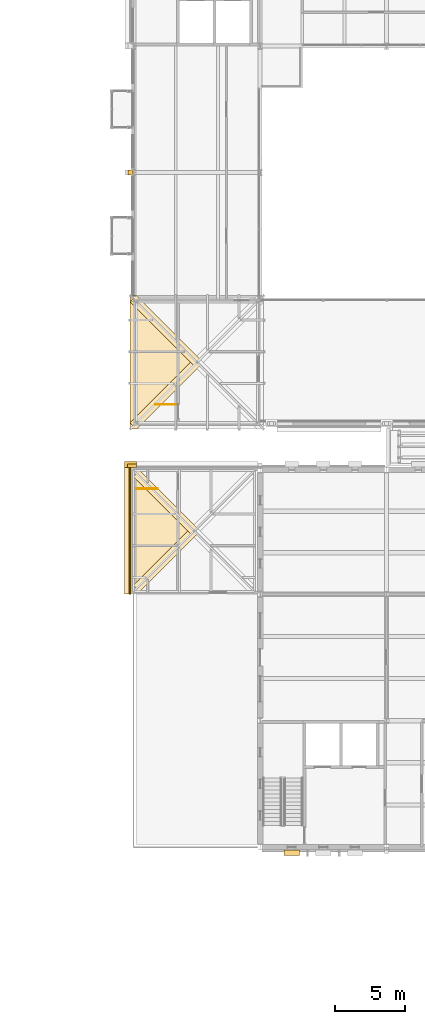
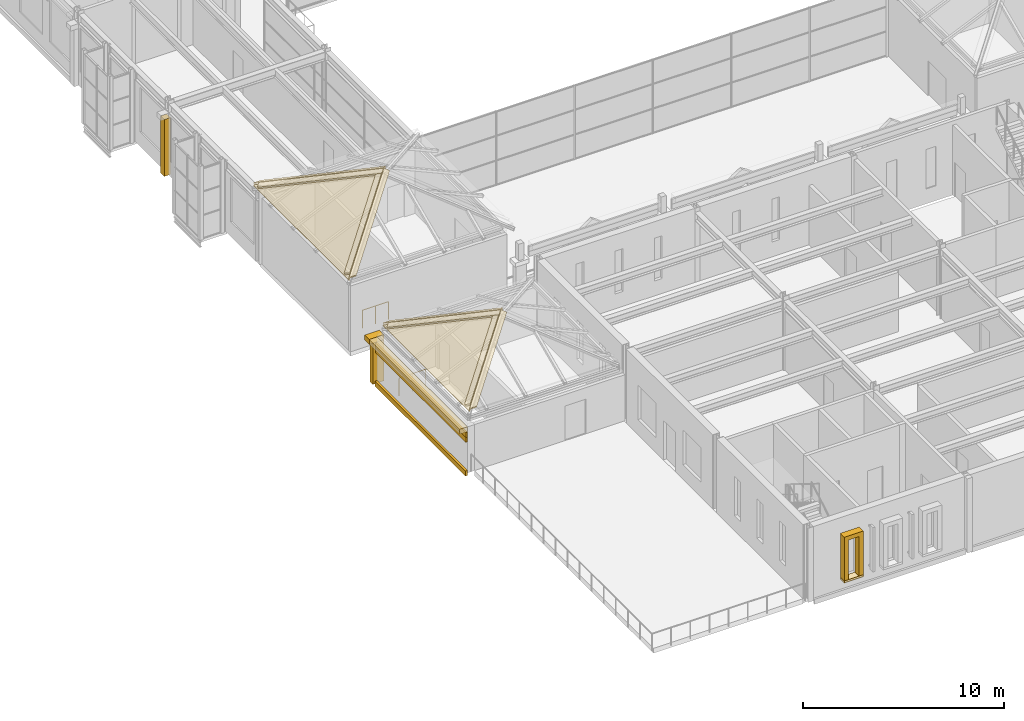
# One storey, part 129 of 149: 19 coverings, 2 railings.
"""IFC4 building model written with IfcOpenShell, lengths in metres."""

from ifc_helpers import new_model, si_unit, direction, frame, origin, origin_2d, place, context, subcontext, project, spatial, polyline, rectangle, circle, outline, extrude, material, layer, layer_set, type_object, element, save


model = new_model("IFC4")

# Units and contexts
model_context = context("Model", 3, precision=1e-05, world=origin(), true_north=direction((0.0, 1.0)))
body_context = subcontext(model_context, "Body", "Model", "MODEL_VIEW")
ifc_project = project(units=[si_unit("LENGTHUNIT", "METRE"), si_unit("AREAUNIT", "SQUARE_METRE"), si_unit("VOLUMEUNIT", "CUBIC_METRE"), si_unit("PLANEANGLEUNIT", "RADIAN"), si_unit("MASSUNIT", "GRAM", prefix="KILO")], contexts=[model_context])

# Site, building, storey
site_placement = place(None, origin())
site = spatial("IfcSite", under=ifc_project, at=site_placement, CompositionType="ELEMENT")
building_placement = place(site_placement, origin())
building = spatial("IfcBuilding", under=site, at=building_placement, Name="Kallimachos Central Library", CompositionType="ELEMENT")
storey_placement = place(building_placement, frame((0.0, 0.0, 9.89990234375)))
storey = spatial("IfcBuildingStorey", under=building, at=storey_placement, Name="L02", CompositionType="ELEMENT", Elevation=9.89990234375)

# Coverings
ifc_material_1 = material(Name="Glazed ceramic hip tile")
ifc_layer_1 = layer(ifc_material_1, 0.1201171875)
ifc_layer_set_1 = layer_set([ifc_layer_1], Name="Ceramic hip tile 300")
covering_type_1 = type_object("IfcCoveringType", Name="Ceramic hip tile 300", PredefinedType="MOLDING", material=ifc_layer_set_1)
covering_1_placement = place(storey_placement, frame((69.814208984375, 40.48583984375, 5.61328125), z_axis=(2.5811857e-05, -0.406756506002, 0.913536613475), x_axis=(0.674456321795, -0.674470475171, -0.300330231767)))
element("IfcCovering", 1, at=covering_1_placement, inside=storey, type_object=covering_type_1, Name="West stair hipped roof hip tile", PredefinedType="MOLDING", context=body_context, shape_type="SweptSolid", body=[
    extrude(outline(polyline([(0.0, 0.0), (0.31456181305111724, -1.734723475976807e-17), (0.8591699670349766, -6.015441280346188), (0.5731517465863805, -6.328540088909749), (0.0, 0.0)])), origin(), (0.0, 0.0, -1.0), 0.1201171875),
])
covering_2_placement = place(storey_placement, frame((65.697998046875, 36.42626953125, 3.793212890625), z_axis=(-0.40674004201, 4.081446e-06, 0.913543944323), x_axis=(-0.674457907333, 0.674485009634, -0.300294027606)))
element("IfcCovering", 2, at=covering_2_placement, inside=storey, type_object=covering_type_1, Name="West stair hipped roof hip tile", PredefinedType="MOLDING", context=body_context, shape_type="SweptSolid", body=[
    extrude(outline(polyline([(0.0, 0.0), (0.29355440664685306, 1.3877787807814457e-17), (0.3126560328962398, -0.02090856223447786), (-0.2318830545296433, -6.036190753028906), (-0.5464448669142423, -6.0362029756904665), (0.0, 0.0)])), origin(), (0.0, 0.0, -1.0), 0.1201171875),
])
covering_3_placement = place(storey_placement, frame((65.5283203125, 44.800048828125, 3.705078125), z_axis=(2.532049e-05, 0.406756916073, 0.913536430902), x_axis=(0.999999999679, -1.0299284e-05, -2.313119e-05)))
element("IfcCovering", 3, at=covering_3_placement, inside=storey, type_object=covering_type_1, Name="West stair hipped roof hip tile", PredefinedType="MOLDING", context=body_context, shape_type="SweptSolid", body=[
    extrude(outline(polyline([(0.0, 0.0), (0.42407226548905785, -7.184063620023045e-22), (4.498046876548557, -4.45924463413005), (4.477783204432633, -4.48143055446421), (4.285888673078385, -4.6914902604189335), (0.0, 0.0)])), origin(), (0.0, 0.0, -1.0), 0.1201171875),
])
covering_4_placement = place(storey_placement, frame((69.785888671875, 40.48583984375, 5.61328125), z_axis=(-0.40674004201, -4.081446e-06, 0.913543944323), x_axis=(-0.674481848932, -0.674456322073, -0.300304687072)))
element("IfcCovering", 4, at=covering_4_placement, inside=storey, type_object=covering_type_1, Name="West stair hipped roof hip tile", PredefinedType="MOLDING", context=body_context, shape_type="SweptSolid", body=[
    extrude(outline(polyline([(0.0, 0.0), (0.3145618126220616, -3.469446951953614e-18), (0.8593346303551627, -6.015261027560015), (0.840233816546465, -6.0361703319944), (0.5466794101212162, -6.036181738389003), (0.0, 0.0)])), origin(), (0.0, 0.0, -1.0), 0.1201171875),
])
covering_5_placement = place(storey_placement, frame((70.01416015625, 52.48583984375, 6.86328125), z_axis=(3.2369812e-05, -0.406739931992, 0.913543992742), x_axis=(0.674578590629, -0.674372069128, -0.300276601561)))
element("IfcCovering", 5, at=covering_5_placement, inside=storey, type_object=covering_type_1, Name="Head-house roof V4-SW hip tile", PredefinedType="MOLDING", context=body_context, shape_type="SweptSolid", body=[
    extrude(outline(polyline([(0.0, 0.0), (0.003257241783217022, 5.421010862427522e-20), (0.3145618086262042, -5.20967216105124e-05), (0.9181947360655407, -6.679953672843335), (0.6321246647953545, -6.993005107287192), (0.0, 0.0)])), origin(), (0.0, 0.0, -1.0), 0.1201171875),
])
covering_6_placement = place(storey_placement, frame((65.447998046875, 47.976318359375, 4.843017578125), z_axis=(-0.406728259025, 1.7313868e-05, 0.913549190252), x_axis=(-0.674458151062, 0.674485008735, -0.30029348221)))
element("IfcCovering", 6, at=covering_6_placement, inside=storey, type_object=covering_type_1, Name="Head-house roof V4-SW hip tile", PredefinedType="MOLDING", context=body_context, shape_type="SweptSolid", body=[
    extrude(outline(polyline([(0.0, 0.0), (0.29355440665848576, 7.28583859910259e-17), (0.312491363690852, -0.02072831602597165), (-0.29198832476201353, -6.700553320009625), (-0.6065501371347777, -6.700565541919457), (0.0, 0.0)])), origin(), (0.0, 0.0, -1.0), 0.1201171875),
])
covering_7_placement = place(storey_placement, frame((65.2783203125, 57.25, 4.7548828125), z_axis=(2.8418847e-05, 0.406743229323, 0.913542524786), x_axis=(0.999999999596, -1.1559174e-05, -2.5961826e-05)))
element("IfcCovering", 7, at=covering_7_placement, inside=storey, type_object=covering_type_1, Name="Head-house roof V4-SW hip tile", PredefinedType="MOLDING", context=body_context, shape_type="SweptSolid", body=[
    extrude(outline(polyline([(0.0, 0.0), (0.4240722654537531, 0.0), (4.947998049962683, -4.9517222530845615), (4.73657226610758, -5.183199478027474), (4.735839846360732, -5.183967879102902), (0.0, 0.0)])), origin(), (0.0, 0.0, -1.0), 0.1201171875),
])
covering_8_placement = place(storey_placement, frame((69.98583984375, 52.48583984375, 6.86328125), z_axis=(-0.406728259025, -1.7313868e-05, 0.913549190252), x_axis=(-0.67448209148, -0.674456322939, -0.300304140364)))
element("IfcCovering", 8, at=covering_8_placement, inside=storey, type_object=covering_type_1, Name="Head-house roof V4-SW hip tile", PredefinedType="MOLDING", context=body_context, shape_type="SweptSolid", body=[
    extrude(outline(polyline([(0.0, 0.0), (0.3145618126101978, 1.3877787807814457e-17), (0.9193010369383585, -6.679801512631663), (0.9003648852933455, -6.700530564414012), (0.6068104788564364, -6.70054197010709), (0.0, 0.0)])), origin(), (0.0, 0.0, -1.0), 0.1201171875),
])
ifc_material_2 = material(Name="Glazed ceramic frieze, green")
ifc_layer_2 = layer(ifc_material_2, 0.10009765625)
ifc_layer_set_2 = layer_set([ifc_layer_2], Name="Glazed ceramic frieze, green")
covering_type_2 = type_object("IfcCoveringType", Name="Glazed ceramic frieze, green", PredefinedType="CLADDING", material=ifc_layer_set_2)
covering_9_placement = place(storey_placement, frame((65.25, 40.5, 2.18017578125), z_axis=(0.0, 0.0, 1.0), x_axis=(1.0, 0.0, 0.0)))
element("IfcCovering", 9, at=covering_9_placement, inside=storey, type_object=covering_type_2, Name="Glazed ceramic frieze, green -L02-030", PredefinedType="CLADDING", context=body_context, shape_type="SweptSolid", body=[
    extrude(rectangle(XDim=0.10009765625, YDim=9.0, at=origin_2d()), origin(), (0.0, 0.0, 1.0), 0.300048828125),
])
ifc_material_3 = material(Name="Glazed ceramic frieze, ochre")
ifc_layer_3 = layer(ifc_material_3, 0.10009765625)
ifc_layer_set_3 = layer_set([ifc_layer_3], Name="Glazed ceramic frieze, ochre")
covering_type_3 = type_object("IfcCoveringType", Name="Glazed ceramic frieze, ochre", PredefinedType="CLADDING", material=ifc_layer_set_3)
covering_10_placement = place(storey_placement, frame((65.25, 40.5, 1.8798828125), z_axis=(0.0, 0.0, 1.0), x_axis=(1.0, 0.0, 0.0)))
element("IfcCovering", 10, at=covering_10_placement, inside=storey, type_object=covering_type_3, Name="Glazed ceramic frieze, ochre -L02-030", PredefinedType="CLADDING", context=body_context, shape_type="SweptSolid", body=[
    extrude(rectangle(XDim=0.10009765625, YDim=9.0, at=origin_2d()), origin(), (0.0, 0.0, 1.0), 0.300048828125),
])
ifc_material_4 = material(Name="Glazed ceramic tile on deck")
ifc_layer_4 = layer(ifc_material_4, 0.10009765625)
ifc_layer_set_4 = layer_set([ifc_layer_4], Name="Glazed ceramic tile roofing 100")
covering_type_4 = type_object("IfcCoveringType", Name="Glazed ceramic tile roofing 100", PredefinedType="ROOFING", material=ifc_layer_set_4)
covering_11_placement = place(storey_placement, frame((65.5, 36.199951171875, 3.57373046875), z_axis=(-0.406744744862, 0.0, 0.913541850452), x_axis=(0.674470004269, 0.674470004269, 0.300300560579)))
element("IfcCovering", 11, at=covering_11_placement, inside=storey, type_object=covering_type_4, Name="West stair hipped roof roofing W", PredefinedType="ROOFING", context=body_context, shape_type="SweptSolid", body=[
    extrude(outline(polyline([(0.0, 0.0), (6.375448575786912, 3.3306690738754696e-16), (5.800507902920994, 6.349471455577058), (0.0, 0.0)])), origin(), (0.0, 0.0, -1.0), 0.10009765625),
])
covering_12_placement = place(storey_placement, frame((65.25, 47.75, 4.623291015625), z_axis=(-0.406761357527, 0.0, 0.913534453659), x_axis=(0.674467027477, 0.674467027477, 0.300313931899)))
element("IfcCovering", 12, at=covering_12_placement, inside=storey, type_object=covering_type_4, Name="Head-house roof V4-SW roofing W", PredefinedType="ROOFING", context=body_context, shape_type="SweptSolid", body=[
    extrude(outline(polyline([(0.0, 0.0), (7.042597794244793, 0.0), (6.407436761031012, 7.013897215770163), (0.0, 0.0)])), origin(), (0.0, 0.0, -1.0), 0.10009765625),
])

# Railing
ifc_material_5 = material(Name="Wrought iron")
railing_type_1 = type_object("IfcRailingType", Name="Stair guard", PredefinedType="GUARDRAIL", material=ifc_material_5)
railing_1_placement = place(storey_placement, frame((68.550048828125, 49.5, 0.0)))
element("IfcRailing", 13, at=railing_1_placement, inside=storey, type_object=railing_type_1, Name="L02 ST11 top well guard 1", PredefinedType="GUARDRAIL", context=body_context, shape_type="SweptSolid", body=[
    extrude(circle(Radius=0.02392578125, at=origin_2d()), frame((0.0, 0.0, 1.076171875), z_axis=(-1.0, 0.0, 0.0), x_axis=(0.0, -1.0, 0.0)), (0.0, 0.0, 1.0), 1.5),
    extrude(circle(Radius=0.02099609375, at=origin_2d()), origin(), (0.0, 0.0, 1.0), 1.052001953125),
    extrude(circle(Radius=0.02099609375, at=origin_2d()), frame((-0.75, 0.0, 0.0)), (0.0, 0.0, 1.0), 1.052001953125),
    extrude(circle(Radius=0.02099609375, at=origin_2d()), frame((-1.5, 0.0, 0.0)), (0.0, 0.0, 1.0), 1.052001953125),
])

# Coverings
ifc_material_6 = material(Name="Pentelic marble attic moulding", Category="masonry")
ifc_layer_5 = layer(ifc_material_6, 0.1201171875)
ifc_layer_set_5 = layer_set([ifc_layer_5], Name="Stone attic moulding 300")
covering_type_5 = type_object("IfcCoveringType", Name="Stone attic moulding 300", PredefinedType="MOLDING", material=ifc_layer_set_5)
covering_13_placement = place(storey_placement, frame((65.239990234375, 40.5, -0.14990234375), z_axis=(0.0, 0.0, 1.0), x_axis=(1.0, 0.0, 0.0)))
element("IfcCovering", 14, at=covering_13_placement, inside=storey, type_object=covering_type_5, Name="Stone attic moulding 300 -L02-030", PredefinedType="MOLDING", context=body_context, shape_type="SweptSolid", body=[
    extrude(rectangle(XDim=0.1201171875, YDim=9.0, at=origin_2d()), origin(), (0.0, 0.0, 1.0), 0.300048828125),
])
ifc_material_7 = material(Name="Pentelic marble cornice", Category="masonry")
ifc_layer_6 = layer(ifc_material_7, 0.449951171875)
ifc_layer_set_6 = layer_set([ifc_layer_6], Name="Stone cornice 450")
covering_type_6 = type_object("IfcCoveringType", Name="Stone cornice 450", PredefinedType="MOLDING", material=ifc_layer_set_6)
covering_14_placement = place(storey_placement, frame((65.074951171875, 40.5, 2.5), z_axis=(0.0, 0.0, 1.0), x_axis=(1.0, 0.0, 0.0)))
element("IfcCovering", 15, at=covering_14_placement, inside=storey, type_object=covering_type_6, Name="Stone cornice 450 -L02-030", PredefinedType="MOLDING", context=body_context, shape_type="SweptSolid", body=[
    extrude(rectangle(XDim=0.449951171875, YDim=9.0, at=origin_2d()), origin(), (0.0, 0.0, 1.0), 0.300048828125),
])
covering_15_placement = place(storey_placement, frame((65.27490234375, 45.22509765625, 2.5), z_axis=(0.0, 0.0, 1.0), x_axis=(1.0, 0.0, 0.0)))
element("IfcCovering", 16, at=covering_15_placement, inside=storey, type_object=covering_type_6, Name="Stone cornice 450 corner", PredefinedType="MOLDING", context=body_context, shape_type="SweptSolid", body=[
    extrude(rectangle(XDim=0.85009765625, YDim=0.449951171875, at=origin_2d()), origin(), (0.0, 0.0, 1.0), 0.300048828125),
])
ifc_material_8 = material(Name="Pentelic marble pilaster", Category="masonry")
ifc_layer_7 = layer(ifc_material_8, 0.25)
ifc_layer_set_7 = layer_set([ifc_layer_7], Name="Stone pilaster 250")
covering_type_7 = type_object("IfcCoveringType", Name="Stone pilaster 250", PredefinedType="CLADDING", material=ifc_layer_set_7)
covering_16_placement = place(storey_placement, frame((65.2705078125, 66.0, 0.0), z_axis=(0.0, 0.0, 1.0), x_axis=(1.0, 0.0, 0.0)))
element("IfcCovering", 17, at=covering_16_placement, inside=storey, type_object=covering_type_7, Name="Stone pilaster 250 -L02-020", PredefinedType="CLADDING", context=body_context, shape_type="SweptSolid", body=[
    extrude(rectangle(XDim=0.35009765625, YDim=0.376953125, at=origin_2d()), origin(), (0.0, 0.0, 1.0), 3.449951171875),
])
covering_17_placement = place(storey_placement, frame((65.375, 45.125, 0.0), z_axis=(0.0, 0.0, 1.0), x_axis=(1.0, 0.0, 0.0)))
element("IfcCovering", 18, at=covering_17_placement, inside=storey, type_object=covering_type_7, Name="Stone pilaster 250 corner", PredefinedType="CLADDING", context=body_context, shape_type="SweptSolid", body=[
    extrude(rectangle(XDim=0.64990234375, YDim=0.25, at=origin_2d()), origin(), (0.0, 0.0, 1.0), 2.5),
])
ifc_material_9 = material(Name="Pentelic marble window sill", Category="masonry")
ifc_layer_8 = layer(ifc_material_9, 0.39990234375)
ifc_layer_set_8 = layer_set([ifc_layer_8], Name="Tower window sill block 400")
covering_type_8 = type_object("IfcCoveringType", Name="Tower window sill block 400", PredefinedType="MOLDING", material=ifc_layer_set_8)
covering_18_placement = place(storey_placement, frame((76.75, 17.60009765625, 0.780029296875), z_axis=(0.0, 0.0, 1.0), x_axis=(1.0, 0.0, 0.0)))
element("IfcCovering", 19, at=covering_18_placement, inside=storey, type_object=covering_type_8, Name="Tower window sill block", PredefinedType="MOLDING", context=body_context, shape_type="SweptSolid", body=[
    extrude(rectangle(XDim=1.10009765625, YDim=0.39990234375, at=origin_2d()), origin(), (0.0, 0.0, 1.0), 0.1201171875),
])
ifc_material_10 = material(Name="Pentelic marble window surround", Category="masonry")
ifc_layer_9 = layer(ifc_material_10, 0.39990234375)
ifc_layer_set_9 = layer_set([ifc_layer_9], Name="Tower window surround 400")
covering_type_9 = type_object("IfcCoveringType", Name="Tower window surround 400", PredefinedType="MOLDING", material=ifc_layer_set_9)
covering_19_placement = place(storey_placement, frame((76.449951171875, 17.39990234375, 0.900146484375), z_axis=(0.0, -1.0, 0.0), x_axis=(0.0, 0.0, 1.0)))
element("IfcCovering", 20, at=covering_19_placement, inside=storey, type_object=covering_type_9, Name="Tower window surround -WIN-L02-001", PredefinedType="MOLDING", context=body_context, shape_type="SweptSolid", body=[
    extrude(outline(polyline([(0.0, 0.0), (2.39990234375, 0.0), (2.39990234375, -0.60009765625), (0.0, -0.60009765625), (0.0, -0.85009765625), (2.64990234375, -0.85009765625), (2.64990234375, 0.25), (0.0, 0.25), (0.0, 0.0)])), origin(), (0.0, 0.0, -1.0), 0.39990234375),
])

# Railing
ifc_material_11 = material(Name="Steel S355J2", Category="steel")
railing_type_2 = type_object("IfcRailingType", Name="Wrought-iron guard 1100", PredefinedType="GUARDRAIL", material=ifc_material_11)
railing_2_placement = place(storey_placement, frame((65.699951171875, 43.5, 0.0)))
element("IfcRailing", 21, at=railing_2_placement, inside=storey, type_object=railing_type_2, Name="L02 ST15 top well guard 1", PredefinedType="GUARDRAIL", context=body_context, shape_type="SweptSolid", body=[
    extrude(circle(Radius=0.02392578125, at=origin_2d()), frame((0.0, 0.0, 1.076171875), z_axis=(1.0, 0.0, 0.0), x_axis=(0.0, 1.0, 0.0)), (0.0, 0.0, 1.0), 1.5),
    extrude(circle(Radius=0.02099609375, at=origin_2d()), origin(), (0.0, 0.0, 1.0), 1.052001953125),
    extrude(circle(Radius=0.02099609375, at=origin_2d()), frame((0.75, 0.0, 0.0)), (0.0, 0.0, 1.0), 1.052001953125),
    extrude(circle(Radius=0.02099609375, at=origin_2d()), frame((1.5, 0.0, 0.0)), (0.0, 0.0, 1.0), 1.052001953125),
])

save(model, "model.ifc")
